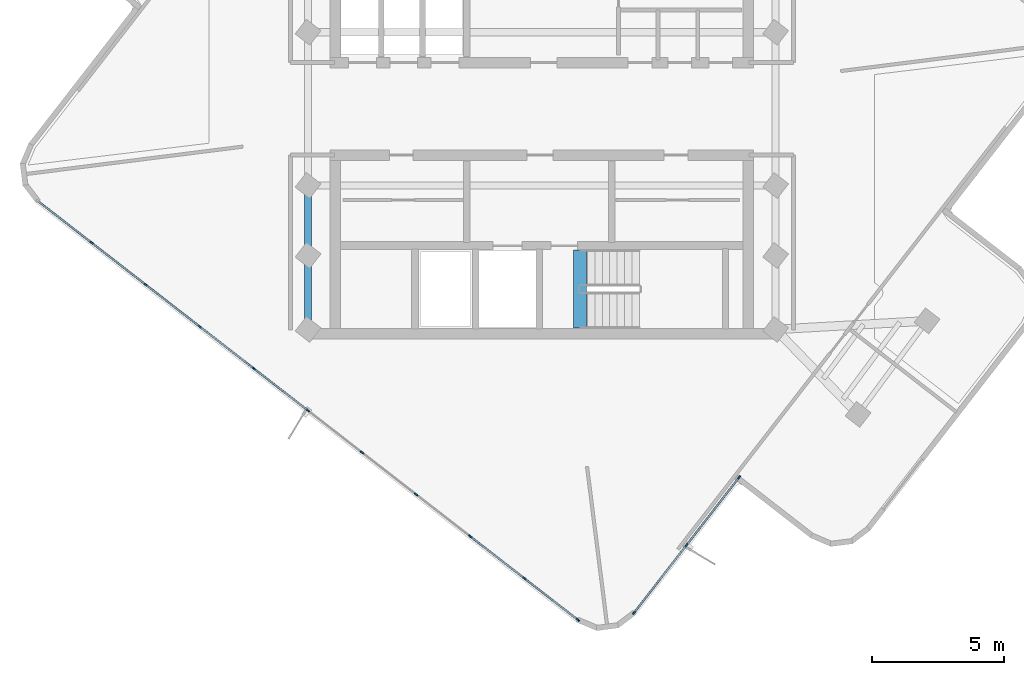
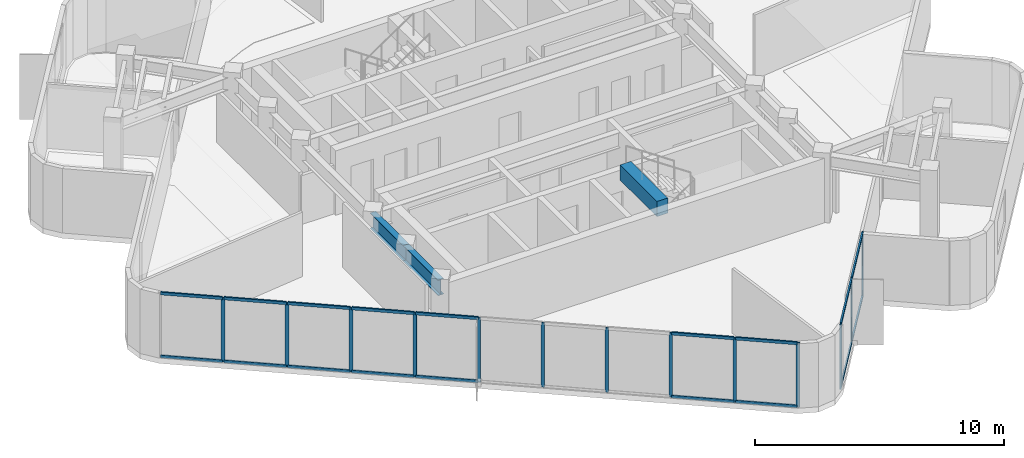
# One storey, part 2 of 10: 31 members, 3 beams, 2 elements without a shape of their own.
"""IFC4 building model written with IfcOpenShell, lengths in metres."""

import ifcopenshell
import ifcopenshell.guid

model = None  # the IFC model being written
_history = None  # IfcOwnerHistory: only IFC2X3 demands one
_inside = {}  # id of a spatial element -> (the spatial element, [elements in it])
_under = {}  # id of a project, library or spatial element -> (it, [spatial elements below it])
_declared = {}  # id of a project -> (the project, [libraries it declares])
_typed = {}  # id of a type object -> (the type object, [elements of that type])
_made_of = {}  # id of a material, layer set ... -> (it, [elements and type objects made of it])


def new_model(schema):
    """Start an empty IFC model of exactly this schema.

    Asked for "IFC4X3", IfcOpenShell would pick the latest addendum, in which some entities
    have other attributes; the version numbers below select the first issue.
    IFC2X3 requires an IfcOwnerHistory on every rooted entity: one is made here for all.
    """
    global model, _history
    if schema == "IFC4X3":
        model = ifcopenshell.file(schema_version=(4, 3, 0, 0))
    else:
        model = ifcopenshell.file(schema=schema)
    _inside.clear()
    _under.clear()
    _declared.clear()
    _typed.clear()
    _made_of.clear()
    _history = None
    if model.schema == "IFC2X3":
        org = make("IfcOrganization", Name="unknown")
        user = make(
            "IfcPersonAndOrganization",
            ThePerson=make("IfcPerson", FamilyName="unknown"),
            TheOrganization=org,
        )
        app = make(
            "IfcApplication",
            ApplicationDeveloper=org,
            Version="unknown",
            ApplicationFullName="unknown",
            ApplicationIdentifier="unknown",
        )
        _history = make(
            "IfcOwnerHistory",
            OwningUser=user,
            OwningApplication=app,
            ChangeAction="ADDED",
            CreationDate=0,
        )
    return model


def make(cls, **values):
    """One entity of the class cls with the attributes given. An attribute that is None is left unset."""
    return model.create_entity(
        cls, **{name: value for name, value in values.items() if value is not None}
    )


def rooted(cls, **values):
    """An entity with a GlobalId (a new one), such as an element, a storey or a relation."""
    return make(cls, GlobalId=ifcopenshell.guid.new(), OwnerHistory=_history, **values)


def si_unit(unit_type, name, prefix=None):
    """IfcSIUnit, for example si_unit("LENGTHUNIT", "METRE", prefix="MILLI")."""
    return make("IfcSIUnit", UnitType=unit_type, Prefix=prefix, Name=name)


def assignment(units):
    """IfcUnitAssignment: the units of a project."""
    return None if units is None else make("IfcUnitAssignment", Units=units)


def point(xyz):
    """IfcCartesianPoint."""
    return None if xyz is None else make("IfcCartesianPoint", Coordinates=xyz)


def direction(xyz):
    """IfcDirection."""
    return None if xyz is None else make("IfcDirection", DirectionRatios=xyz)


def frame(location, z_axis=None, x_axis=None):
    """IfcAxis2Placement3D, a coordinate frame: its origin and axes. An axis left out is left unset."""
    return make(
        "IfcAxis2Placement3D",
        Location=point(location),
        Axis=direction(z_axis),
        RefDirection=direction(x_axis),
    )


def frame_2d(location, x_axis=None):
    """IfcAxis2Placement2D, a coordinate frame in the plane: its origin and x axis."""
    return make(
        "IfcAxis2Placement2D", Location=point(location), RefDirection=direction(x_axis)
    )


def origin():
    """The frame at (0, 0, 0) with its axes left unset."""
    return frame((0.0, 0.0, 0.0))


def origin_2d():
    """The frame at (0, 0) in the plane with its x axis left unset."""
    return frame_2d((0.0, 0.0))


def place(relative_to, where):
    """IfcLocalPlacement: puts the frame where relative to a parent placement (None: the world)."""
    return make(
        "IfcLocalPlacement", PlacementRelTo=relative_to, RelativePlacement=where
    )


def context(
    kind, dimensions, precision=None, world=None, true_north=None, identifier=None
):
    """IfcGeometricRepresentationContext, for example the 3D "Model" context."""
    return make(
        "IfcGeometricRepresentationContext",
        ContextIdentifier=identifier,
        ContextType=kind,
        CoordinateSpaceDimension=dimensions,
        Precision=precision,
        WorldCoordinateSystem=world,
        TrueNorth=true_north,
    )


def subcontext(parent, identifier, kind, view, scale=None):
    """IfcGeometricRepresentationSubContext, for example "Body" below "Model"."""
    return make(
        "IfcGeometricRepresentationSubContext",
        ContextIdentifier=identifier,
        ContextType=kind,
        ParentContext=parent,
        TargetScale=scale,
        TargetView=view,
    )


def project(units=None, contexts=None):
    """IfcProject with its units and contexts."""
    return rooted(
        "IfcProject",
        Name="project",
        RepresentationContexts=contexts,
        UnitsInContext=assignment(units),
    )


def spatial(cls, under=None, at=None, **own):
    """A site, building, storey or space (cls), placed at a placement, below another one or the project."""
    s = rooted(cls, ObjectPlacement=at, **own)
    if under is not None:
        _under.setdefault(under.id(), (under, []))[1].append(s)
    return s


def profile(cls, at=None, kind="AREA", **sizes):
    """A parametric profile (cls). Its sizes go by their IFC names, for example OverallWidth=200.0."""
    return make(cls, ProfileType=kind, Position=at, **sizes)


def rectangle(**sizes):
    """IfcRectangleProfileDef."""
    return profile("IfcRectangleProfileDef", **sizes)


def i_section(**sizes):
    """IfcIShapeProfileDef."""
    return profile("IfcIShapeProfileDef", **sizes)


def extrude(swept, where, along, depth):
    """IfcExtrudedAreaSolid: the profile swept, set in the frame where, extruded along a direction by depth."""
    return make(
        "IfcExtrudedAreaSolid",
        SweptArea=swept,
        Position=where,
        ExtrudedDirection=direction(along),
        Depth=depth,
    )


def shape(context_of_items, identifier, shape_type, items):
    """IfcShapeRepresentation: the items that make up one representation, for example the "Body"."""
    return make(
        "IfcShapeRepresentation",
        ContextOfItems=context_of_items,
        RepresentationIdentifier=identifier,
        RepresentationType=shape_type,
        Items=items,
    )


def material(Name=None, Category=None):
    """IfcMaterial."""
    return make("IfcMaterial", Name=Name, Category=Category)


def layer(
    of_material, thickness, ventilated=None, Name=None, Category=None, Priority=None
):
    """IfcMaterialLayer: one layer of a wall or slab, of a material (None: an air gap)."""
    return make(
        "IfcMaterialLayer",
        Material=of_material,
        LayerThickness=thickness,
        IsVentilated=ventilated,
        Name=Name,
        Category=Category,
        Priority=Priority,
    )


def layer_set(layers, Name=None):
    """IfcMaterialLayerSet."""
    return make("IfcMaterialLayerSet", MaterialLayers=layers, LayerSetName=Name)


def material_profile(
    of_material, cross_section, Name=None, Category=None, Priority=None
):
    """IfcMaterialProfile: a cross section and its material."""
    return make(
        "IfcMaterialProfile",
        Name=Name,
        Material=of_material,
        Profile=cross_section,
        Priority=Priority,
        Category=Category,
    )


def profile_set(profiles, Name=None, composite=None):
    """IfcMaterialProfileSet."""
    return make(
        "IfcMaterialProfileSet",
        Name=Name,
        MaterialProfiles=profiles,
        CompositeProfile=composite,
    )


def made_of(thing, what):
    """Note that an element or type object is made of a material, layer set ...; save() writes the relation."""
    if what is not None:
        _made_of.setdefault(what.id(), (what, []))[1].append(thing)
    return thing


def type_object(cls, material=None, **own):
    """A type object (cls), such as IfcWallType, which elements share."""
    return made_of(rooted(cls, **own), material)


def element(
    cls,
    number,
    at=None,
    inside=None,
    cuts=None,
    type_object=None,
    material=None,
    context=None,
    identifier="Body",
    shape_type=None,
    held_by="IfcProductDefinitionShape",
    body=None,
    shapes=None,
    **own,
):
    """One element of the class cls, such as IfcWall. Its Tag is "e" and its number.

    at: its placement. inside: the storey or other place that contains it. cuts: it is an
    opening in that element (IfcRelVoidsElement). A single representation is given by context,
    identifier, shape_type and body (its items); several are given by shapes. held_by: the class
    of the entity that holds the representations. save() writes the other relations.
    """
    e = rooted(cls, Tag="e%d" % number, ObjectPlacement=at, **own)
    if body is not None:
        shapes = [shape(context, identifier, shape_type, body)]
    if shapes is not None:
        e.Representation = make(held_by, Representations=shapes)
    if inside is not None:
        _inside.setdefault(inside.id(), (inside, []))[1].append(e)
    if cuts is not None:
        rooted(
            "IfcRelVoidsElement", RelatingBuildingElement=cuts, RelatedOpeningElement=e
        )
    if type_object is not None:
        _typed.setdefault(type_object.id(), (type_object, []))[1].append(e)
    return made_of(e, material)


def aggregate(whole, parts):
    """IfcRelAggregates: a whole, such as a stair, and the parts it consists of."""
    return rooted("IfcRelAggregates", RelatingObject=whole, RelatedObjects=parts)


def save(model, path):
    """Write the relations noted so far, then the file.

    IfcRelAggregates (storeys below a building ...), IfcRelContainedInSpatialStructure (elements
    in a storey), IfcRelDefinesByType, IfcRelAssociatesMaterial and IfcRelDeclares: one each for
    every whole, place, type object, material and project.
    """
    for whole, parts in _under.values():
        aggregate(whole, parts)
    for where, things in _inside.values():
        rooted(
            "IfcRelContainedInSpatialStructure",
            RelatedElements=things,
            RelatingStructure=where,
        )
    for kind, things in _typed.values():
        rooted("IfcRelDefinesByType", RelatedObjects=things, RelatingType=kind)
    for what, things in _made_of.values():
        rooted("IfcRelAssociatesMaterial", RelatedObjects=things, RelatingMaterial=what)
    for by, libraries in _declared.values():
        rooted("IfcRelDeclares", RelatingContext=by, RelatedDefinitions=libraries)
    model.write(path)


model = new_model("IFC4")

# Units and contexts
model_context = context("Model", 3, precision=1e-05, world=origin(), true_north=direction((0.0, 1.0)))
body_context = subcontext(model_context, "Body", "Model", "MODEL_VIEW")
ifc_project = project(units=[si_unit("LENGTHUNIT", "METRE"), si_unit("AREAUNIT", "SQUARE_METRE"), si_unit("VOLUMEUNIT", "CUBIC_METRE"), si_unit("PLANEANGLEUNIT", "RADIAN"), si_unit("MASSUNIT", "GRAM", prefix="KILO")], contexts=[model_context])

# Site, building, storey
site_placement = place(None, origin())
site = spatial("IfcSite", under=ifc_project, at=site_placement, CompositionType="ELEMENT")
building_placement = place(site_placement, origin())
building = spatial("IfcBuilding", under=site, at=building_placement, Name="Solmarez Civic Tower", CompositionType="ELEMENT")
storey_placement = place(building_placement, frame((0.0, 0.0, 257.760009765625)))
storey = spatial("IfcBuildingStorey", under=building, at=storey_placement, Name="L69", CompositionType="ELEMENT", Elevation=257.760009765625)

# Beams
ifc_material_1 = material(Name="Concrete C50/60", Category="concrete")
ifc_material_profile_1 = material_profile(ifc_material_1, rectangle(XDim=0.5, YDim=0.75, at=origin_2d()), Name="RC500X750")
ifc_profile_set_1 = profile_set([ifc_material_profile_1], Name="Concrete C50/60")
beam_type_1 = type_object("IfcBeamType", Name="BM-PR-RC500X750", PredefinedType="BEAM", material=ifc_profile_set_1)
beam_1_placement = place(storey_placement, frame((1.449951171875, -8.300048828125, 3.052978515625), z_axis=(0.0, 1.0, 0.0), x_axis=(-1.0, 0.0, 0.0)))
element("IfcBeam", 1, at=beam_1_placement, inside=storey, type_object=beam_type_1, Name="L69 South Stair Threshold Beam", PredefinedType="BEAM", context=body_context, shape_type="SweptSolid", body=[
    extrude(rectangle(XDim=0.5, YDim=0.75, at=origin_2d()), origin(), (0.0, 0.0, 1.0), 2.9599609375),
])
ifc_material_2 = material(Name="Steel S355", Category="steel")
ifc_material_profile_2 = material_profile(ifc_material_2, i_section(OverallWidth=0.26708984375, OverallDepth=0.761962890625, WebThickness=0.014404296875, FlangeThickness=0.021484375, at=origin_2d()), Name="W30X116")
ifc_profile_set_2 = profile_set([ifc_material_profile_2], Name="Steel S355")
beam_type_2 = type_object("IfcBeamType", Name="BM-PR-W30X116", PredefinedType="BEAM", material=ifc_profile_set_2)
beam_2_placement = place(storey_placement, frame((-8.85009765625, -8.35009765625, 2.779052734375), z_axis=(0.0, 1.0, 0.0), x_axis=(-1.0, 0.0, 0.0)))
element("IfcBeam", 2, at=beam_2_placement, inside=storey, type_object=beam_type_2, Name="L69 Primary Floor Beam BM-L69-HC12-HC1", PredefinedType="BEAM", context=body_context, shape_type="SweptSolid", body=[
    extrude(i_section(OverallWidth=0.26708984375, OverallDepth=0.761962890625, WebThickness=0.014404296875, FlangeThickness=0.021484375, at=origin_2d()), origin(), (0.0, 0.0, 1.0), 2.800048828125),
])
beam_3_placement = place(storey_placement, frame((-8.85009765625, -5.550048828125, 2.779052734375), z_axis=(0.0, 1.0, 0.0), x_axis=(-1.0, 0.0, 0.0)))
element("IfcBeam", 3, at=beam_3_placement, inside=storey, type_object=beam_type_2, Name="L69 Primary Floor Beam BM-L69-HC1-HC2", PredefinedType="BEAM", context=body_context, shape_type="SweptSolid", body=[
    extrude(i_section(OverallWidth=0.26708984375, OverallDepth=0.761962890625, WebThickness=0.014404296875, FlangeThickness=0.021484375, at=origin_2d()), origin(), (0.0, 0.0, 1.0), 2.650146484375),
])

# Curtain wall, members
ifc_material_3 = material(Name="Bronze Anodised Aluminium EN AW-6063 T6", Category="aluminium")
ifc_layer = layer(ifc_material_3, 0.1650390625)
ifc_layer_set = layer_set([ifc_layer], Name="Bronze Anodised Aluminium EN AW-6063 T6")
curtain_wall_type = type_object("IfcCurtainWallType", Name="CW-SYS-4", PredefinedType="NOTDEFINED", material=ifc_layer_set)
curtain_wall_1_placement = place(storey_placement, origin())
curtain_wall_1 = element("IfcCurtainWall", 4, at=curtain_wall_1_placement, inside=storey, type_object=curtain_wall_type, Name="L69 Stick-Built Curtain Wall 1", PredefinedType="NOTDEFINED")
ifc_material_profile_3 = material_profile(ifc_material_3, rectangle(XDim=0.06005859375, YDim=0.14990234375, at=origin_2d()), Name="CWM-60X150")
ifc_profile_set_3 = profile_set([ifc_material_profile_3], Name="Bronze Anodised Aluminium EN AW-6063 T6")
member_type_1 = type_object("IfcMemberType", Name="CWM-TYPE-4", PredefinedType="MULLION", material=ifc_profile_set_3)
member_1_placement = place(storey_placement, frame((7.464599609375, -13.95361328125, 0.0), z_axis=(0.0, 0.0, 1.0), x_axis=(0.790191094743, -0.612860533718, 0.0)))
member_1 = element("IfcMember", 5, at=member_1_placement, type_object=member_type_1, Name="CWS4 mullion 1", PredefinedType="MULLION", context=body_context, shape_type="SweptSolid", body=[
    extrude(rectangle(XDim=0.06005859375, YDim=0.14990234375, at=origin_2d()), origin(), (0.0, 0.0, 1.0), 3.159912109375),
])
member_2_placement = place(storey_placement, frame((5.478515625, -16.514404296875, 0.0), z_axis=(0.0, 0.0, 1.0), x_axis=(0.790191094743, -0.612860533718, 0.0)))
member_2 = element("IfcMember", 6, at=member_2_placement, type_object=member_type_1, Name="CWS4 mullion 2", PredefinedType="MULLION", context=body_context, shape_type="SweptSolid", body=[
    extrude(rectangle(XDim=0.06005859375, YDim=0.14990234375, at=origin_2d()), origin(), (0.0, 0.0, 1.0), 3.159912109375),
])
member_3_placement = place(storey_placement, frame((3.492431640625, -19.0751953125, 0.0), z_axis=(0.0, 0.0, 1.0), x_axis=(0.790191094743, -0.612860533718, 0.0)))
member_3 = element("IfcMember", 7, at=member_3_placement, type_object=member_type_1, Name="CWS4 mullion 3", PredefinedType="MULLION", context=body_context, shape_type="SweptSolid", body=[
    extrude(rectangle(XDim=0.06005859375, YDim=0.14990234375, at=origin_2d()), origin(), (0.0, 0.0, 1.0), 3.159912109375),
])

curtain_wall_2_placement = place(storey_placement, origin())
curtain_wall_2 = element("IfcCurtainWall", 8, at=curtain_wall_2_placement, inside=storey, type_object=curtain_wall_type, Name="L69 Stick-Built Curtain Wall 2", PredefinedType="NOTDEFINED")
member_4_placement = place(storey_placement, frame((1.3623046875, -19.343505859375, 0.0), z_axis=(0.0, 0.0, 1.0), x_axis=(-0.612863828087, -0.790188539668, 0.0)))
member_4 = element("IfcMember", 9, at=member_4_placement, type_object=member_type_1, Name="CWS4 mullion 1", PredefinedType="MULLION", context=body_context, shape_type="SweptSolid", body=[
    extrude(rectangle(XDim=0.06005859375, YDim=0.14990234375, at=origin_2d()), origin(), (0.0, 0.0, 1.0), 3.159912109375),
])
member_5_placement = place(storey_placement, frame((-0.66259765625, -17.773193359375, 0.0), z_axis=(0.0, 0.0, 1.0), x_axis=(-0.612863828087, -0.790188539668, 0.0)))
member_5 = element("IfcMember", 10, at=member_5_placement, type_object=member_type_1, Name="CWS4 mullion 2", PredefinedType="MULLION", context=body_context, shape_type="SweptSolid", body=[
    extrude(rectangle(XDim=0.06005859375, YDim=0.14990234375, at=origin_2d()), origin(), (0.0, 0.0, 1.0), 3.159912109375),
])
member_6_placement = place(storey_placement, frame((-2.7109375, -16.184326171875, 0.0), z_axis=(0.0, 0.0, 1.0), x_axis=(-0.612863828087, -0.790188539668, 0.0)))
member_6 = element("IfcMember", 11, at=member_6_placement, type_object=member_type_1, Name="CWS4 mullion 3", PredefinedType="MULLION", context=body_context, shape_type="SweptSolid", body=[
    extrude(rectangle(XDim=0.06005859375, YDim=0.14990234375, at=origin_2d()), origin(), (0.0, 0.0, 1.0), 3.159912109375),
])
member_7_placement = place(storey_placement, frame((-4.759521484375, -14.595703125, 0.0), z_axis=(0.0, 0.0, 1.0), x_axis=(-0.612863828087, -0.790188539668, 0.0)))
member_7 = element("IfcMember", 12, at=member_7_placement, type_object=member_type_1, Name="CWS4 mullion 4", PredefinedType="MULLION", context=body_context, shape_type="SweptSolid", body=[
    extrude(rectangle(XDim=0.06005859375, YDim=0.14990234375, at=origin_2d()), origin(), (0.0, 0.0, 1.0), 3.159912109375),
])
member_8_placement = place(storey_placement, frame((-6.80810546875, -13.0068359375, 0.0), z_axis=(0.0, 0.0, 1.0), x_axis=(-0.612863828087, -0.790188539668, 0.0)))
member_8 = element("IfcMember", 13, at=member_8_placement, type_object=member_type_1, Name="CWS4 mullion 5", PredefinedType="MULLION", context=body_context, shape_type="SweptSolid", body=[
    extrude(rectangle(XDim=0.06005859375, YDim=0.14990234375, at=origin_2d()), origin(), (0.0, 0.0, 1.0), 3.159912109375),
])
member_9_placement = place(storey_placement, frame((-8.8564453125, -11.41796875, 0.0), z_axis=(0.0, 0.0, 1.0), x_axis=(-0.612863828087, -0.790188539668, 0.0)))
member_9 = element("IfcMember", 14, at=member_9_placement, type_object=member_type_1, Name="CWS4 mullion 6", PredefinedType="MULLION", context=body_context, shape_type="SweptSolid", body=[
    extrude(rectangle(XDim=0.06005859375, YDim=0.14990234375, at=origin_2d()), origin(), (0.0, 0.0, 1.0), 3.159912109375),
])
member_10_placement = place(storey_placement, frame((-10.905029296875, -9.8291015625, 0.0), z_axis=(0.0, 0.0, 1.0), x_axis=(-0.612863828087, -0.790188539668, 0.0)))
member_10 = element("IfcMember", 15, at=member_10_placement, type_object=member_type_1, Name="CWS4 mullion 7", PredefinedType="MULLION", context=body_context, shape_type="SweptSolid", body=[
    extrude(rectangle(XDim=0.06005859375, YDim=0.14990234375, at=origin_2d()), origin(), (0.0, 0.0, 1.0), 3.159912109375),
])
member_11_placement = place(storey_placement, frame((-12.95361328125, -8.240478515625, 0.0), z_axis=(0.0, 0.0, 1.0), x_axis=(-0.612863828087, -0.790188539668, 0.0)))
member_11 = element("IfcMember", 16, at=member_11_placement, type_object=member_type_1, Name="CWS4 mullion 8", PredefinedType="MULLION", context=body_context, shape_type="SweptSolid", body=[
    extrude(rectangle(XDim=0.06005859375, YDim=0.14990234375, at=origin_2d()), origin(), (0.0, 0.0, 1.0), 3.159912109375),
])
member_12_placement = place(storey_placement, frame((-15.001953125, -6.651611328125, 0.0), z_axis=(0.0, 0.0, 1.0), x_axis=(-0.612863828087, -0.790188539668, 0.0)))
member_12 = element("IfcMember", 17, at=member_12_placement, type_object=member_type_1, Name="CWS4 mullion 9", PredefinedType="MULLION", context=body_context, shape_type="SweptSolid", body=[
    extrude(rectangle(XDim=0.06005859375, YDim=0.14990234375, at=origin_2d()), origin(), (0.0, 0.0, 1.0), 3.159912109375),
])
member_13_placement = place(storey_placement, frame((-17.050537109375, -5.062744140625, 0.0), z_axis=(0.0, 0.0, 1.0), x_axis=(-0.612863828087, -0.790188539668, 0.0)))
member_13 = element("IfcMember", 18, at=member_13_placement, type_object=member_type_1, Name="CWS4 mullion 10", PredefinedType="MULLION", context=body_context, shape_type="SweptSolid", body=[
    extrude(rectangle(XDim=0.06005859375, YDim=0.14990234375, at=origin_2d()), origin(), (0.0, 0.0, 1.0), 3.159912109375),
])

# Member
ifc_material_profile_4 = material_profile(ifc_material_3, rectangle(XDim=0.070068359375, YDim=0.139892578125, at=origin_2d()), Name="CWT-70X140")
ifc_profile_set_4 = profile_set([ifc_material_profile_4], Name="Bronze Anodised Aluminium EN AW-6063 T6")
member_type_2 = type_object("IfcMemberType", Name="CWT-TYPE-1", PredefinedType="USERDEFINED", material=ifc_profile_set_4)
member_14_placement = place(storey_placement, frame((7.4462890625, -13.977294921875, 0.034912109375), z_axis=(-0.612877315245, -0.790178078953, 0.0), x_axis=(0.790178078953, -0.612877315245, 0.0)))
member_14 = element("IfcMember", 19, at=member_14_placement, type_object=member_type_2, Name="CWS4 transom 1.1", ObjectType="TRANSOM", PredefinedType="USERDEFINED", context=body_context, shape_type="SweptSolid", body=[
    extrude(rectangle(XDim=0.070068359375, YDim=0.139892578125, at=origin_2d()), origin(), (0.0, 0.0, 1.0), 3.180908203125),
])

member_15_placement = place(storey_placement, frame((7.4462890625, -13.977294921875, 3.125), z_axis=(-0.612877315245, -0.790178078953, 0.0), x_axis=(0.790178078953, -0.612877315245, 0.0)))
member_15 = element("IfcMember", 20, at=member_15_placement, type_object=member_type_2, Name="CWS4 transom 1.2", ObjectType="TRANSOM", PredefinedType="USERDEFINED", context=body_context, shape_type="SweptSolid", body=[
    extrude(rectangle(XDim=0.070068359375, YDim=0.139892578125, at=origin_2d()), origin(), (0.0, 0.0, 1.0), 3.180908203125),
])

member_16_placement = place(storey_placement, frame((5.460205078125, -16.5380859375, 0.034912109375), z_axis=(-0.612877315245, -0.790178078953, 0.0), x_axis=(0.790178078953, -0.612877315245, 0.0)))
member_16 = element("IfcMember", 21, at=member_16_placement, type_object=member_type_2, Name="CWS4 transom 2.1", ObjectType="TRANSOM", PredefinedType="USERDEFINED", context=body_context, shape_type="SweptSolid", body=[
    extrude(rectangle(XDim=0.070068359375, YDim=0.139892578125, at=origin_2d()), origin(), (0.0, 0.0, 1.0), 3.180908203125),
])

member_17_placement = place(storey_placement, frame((5.460205078125, -16.5380859375, 3.125), z_axis=(-0.612877315245, -0.790178078953, 0.0), x_axis=(0.790178078953, -0.612877315245, 0.0)))
member_17 = element("IfcMember", 22, at=member_17_placement, type_object=member_type_2, Name="CWS4 transom 2.2", ObjectType="TRANSOM", PredefinedType="USERDEFINED", context=body_context, shape_type="SweptSolid", body=[
    extrude(rectangle(XDim=0.070068359375, YDim=0.139892578125, at=origin_2d()), origin(), (0.0, 0.0, 1.0), 3.180908203125),
])

aggregate(curtain_wall_1, [member_1, member_2, member_3, member_14, member_15, member_16, member_17])

member_18_placement = place(storey_placement, frame((1.338623046875, -19.3251953125, 0.034912109375), z_axis=(-0.790202446338, 0.612845897271, 0.0), x_axis=(-0.612845897271, -0.790202446338, 0.0)))
member_18 = element("IfcMember", 23, at=member_18_placement, type_object=member_type_2, Name="CWS4 transom 1.1", ObjectType="TRANSOM", PredefinedType="USERDEFINED", context=body_context, shape_type="SweptSolid", body=[
    extrude(rectangle(XDim=0.070068359375, YDim=0.139892578125, at=origin_2d()), origin(), (0.0, 0.0, 1.0), 2.502685546875),
])

member_19_placement = place(storey_placement, frame((1.338623046875, -19.3251953125, 3.125), z_axis=(-0.790202446338, 0.612845897271, 0.0), x_axis=(-0.612845897271, -0.790202446338, 0.0)))
member_19 = element("IfcMember", 24, at=member_19_placement, type_object=member_type_2, Name="CWS4 transom 1.2", ObjectType="TRANSOM", PredefinedType="USERDEFINED", context=body_context, shape_type="SweptSolid", body=[
    extrude(rectangle(XDim=0.070068359375, YDim=0.139892578125, at=origin_2d()), origin(), (0.0, 0.0, 1.0), 2.502685546875),
])

member_20_placement = place(storey_placement, frame((-0.686279296875, -17.7548828125, 0.034912109375), z_axis=(-0.790176922481, 0.612878806273, 0.0), x_axis=(-0.612878806273, -0.790176922481, 0.0)))
member_20 = element("IfcMember", 25, at=member_20_placement, type_object=member_type_2, Name="CWS4 transom 2.1", ObjectType="TRANSOM", PredefinedType="USERDEFINED", context=body_context, shape_type="SweptSolid", body=[
    extrude(rectangle(XDim=0.070068359375, YDim=0.139892578125, at=origin_2d()), origin(), (0.0, 0.0, 1.0), 2.5322265625),
])

member_21_placement = place(storey_placement, frame((-0.686279296875, -17.7548828125, 3.125), z_axis=(-0.790176922481, 0.612878806273, 0.0), x_axis=(-0.612878806273, -0.790176922481, 0.0)))
member_21 = element("IfcMember", 26, at=member_21_placement, type_object=member_type_2, Name="CWS4 transom 2.2", ObjectType="TRANSOM", PredefinedType="USERDEFINED", context=body_context, shape_type="SweptSolid", body=[
    extrude(rectangle(XDim=0.070068359375, YDim=0.139892578125, at=origin_2d()), origin(), (0.0, 0.0, 1.0), 2.5322265625),
])

member_22_placement = place(storey_placement, frame((-8.880126953125, -11.399658203125, 0.034912109375), z_axis=(-0.790213131935, 0.612832119032, 0.0), x_axis=(-0.612832119032, -0.790213131935, 0.0)))
member_22 = element("IfcMember", 27, at=member_22_placement, type_object=member_type_2, Name="CWS4 transom 6.1", ObjectType="TRANSOM", PredefinedType="USERDEFINED", context=body_context, shape_type="SweptSolid", body=[
    extrude(rectangle(XDim=0.070068359375, YDim=0.139892578125, at=origin_2d()), origin(), (0.0, 0.0, 1.0), 2.532470703125),
])

member_23_placement = place(storey_placement, frame((-8.880126953125, -11.399658203125, 3.125), z_axis=(-0.790213131935, 0.612832119032, 0.0), x_axis=(-0.612832119032, -0.790213131935, 0.0)))
member_23 = element("IfcMember", 28, at=member_23_placement, type_object=member_type_2, Name="CWS4 transom 6.2", ObjectType="TRANSOM", PredefinedType="USERDEFINED", context=body_context, shape_type="SweptSolid", body=[
    extrude(rectangle(XDim=0.070068359375, YDim=0.139892578125, at=origin_2d()), origin(), (0.0, 0.0, 1.0), 2.532470703125),
])

member_24_placement = place(storey_placement, frame((-10.9287109375, -9.810791015625, 0.034912109375), z_axis=(-0.790176922481, 0.612878806273, 0.0), x_axis=(-0.612878806273, -0.790176922481, 0.0)))
member_24 = element("IfcMember", 29, at=member_24_placement, type_object=member_type_2, Name="CWS4 transom 7.1", ObjectType="TRANSOM", PredefinedType="USERDEFINED", context=body_context, shape_type="SweptSolid", body=[
    extrude(rectangle(XDim=0.070068359375, YDim=0.139892578125, at=origin_2d()), origin(), (0.0, 0.0, 1.0), 2.5322265625),
])

member_25_placement = place(storey_placement, frame((-10.9287109375, -9.810791015625, 3.125), z_axis=(-0.790176922481, 0.612878806273, 0.0), x_axis=(-0.612878806273, -0.790176922481, 0.0)))
member_25 = element("IfcMember", 30, at=member_25_placement, type_object=member_type_2, Name="CWS4 transom 7.2", ObjectType="TRANSOM", PredefinedType="USERDEFINED", context=body_context, shape_type="SweptSolid", body=[
    extrude(rectangle(XDim=0.070068359375, YDim=0.139892578125, at=origin_2d()), origin(), (0.0, 0.0, 1.0), 2.5322265625),
])

member_26_placement = place(storey_placement, frame((-12.977294921875, -8.221923828125, 0.034912109375), z_axis=(-0.790176922481, 0.612878806273, 0.0), x_axis=(-0.612878806273, -0.790176922481, 0.0)))
member_26 = element("IfcMember", 31, at=member_26_placement, type_object=member_type_2, Name="CWS4 transom 8.1", ObjectType="TRANSOM", PredefinedType="USERDEFINED", context=body_context, shape_type="SweptSolid", body=[
    extrude(rectangle(XDim=0.070068359375, YDim=0.139892578125, at=origin_2d()), origin(), (0.0, 0.0, 1.0), 2.5322265625),
])

member_27_placement = place(storey_placement, frame((-12.977294921875, -8.221923828125, 3.125), z_axis=(-0.790176922481, 0.612878806273, 0.0), x_axis=(-0.612878806273, -0.790176922481, 0.0)))
member_27 = element("IfcMember", 32, at=member_27_placement, type_object=member_type_2, Name="CWS4 transom 8.2", ObjectType="TRANSOM", PredefinedType="USERDEFINED", context=body_context, shape_type="SweptSolid", body=[
    extrude(rectangle(XDim=0.070068359375, YDim=0.139892578125, at=origin_2d()), origin(), (0.0, 0.0, 1.0), 2.5322265625),
])

member_28_placement = place(storey_placement, frame((-15.025634765625, -6.63330078125, 0.034912109375), z_axis=(-0.790213131935, 0.612832119032, 0.0), x_axis=(-0.612832119032, -0.790213131935, 0.0)))
member_28 = element("IfcMember", 33, at=member_28_placement, type_object=member_type_2, Name="CWS4 transom 9.1", ObjectType="TRANSOM", PredefinedType="USERDEFINED", context=body_context, shape_type="SweptSolid", body=[
    extrude(rectangle(XDim=0.070068359375, YDim=0.139892578125, at=origin_2d()), origin(), (0.0, 0.0, 1.0), 2.532470703125),
])

member_29_placement = place(storey_placement, frame((-15.025634765625, -6.63330078125, 3.125), z_axis=(-0.790213131935, 0.612832119032, 0.0), x_axis=(-0.612832119032, -0.790213131935, 0.0)))
member_29 = element("IfcMember", 34, at=member_29_placement, type_object=member_type_2, Name="CWS4 transom 9.2", ObjectType="TRANSOM", PredefinedType="USERDEFINED", context=body_context, shape_type="SweptSolid", body=[
    extrude(rectangle(XDim=0.070068359375, YDim=0.139892578125, at=origin_2d()), origin(), (0.0, 0.0, 1.0), 2.532470703125),
])

member_30_placement = place(storey_placement, frame((-17.07421875, -5.04443359375, 0.034912109375), z_axis=(-0.790165802062, 0.61289314342, 0.0), x_axis=(-0.61289314342, -0.790165802062, 0.0)))
member_30 = element("IfcMember", 35, at=member_30_placement, type_object=member_type_2, Name="CWS4 transom 10.1", ObjectType="TRANSOM", PredefinedType="USERDEFINED", context=body_context, shape_type="SweptSolid", body=[
    extrude(rectangle(XDim=0.070068359375, YDim=0.139892578125, at=origin_2d()), origin(), (0.0, 0.0, 1.0), 2.50244140625),
])

member_31_placement = place(storey_placement, frame((-17.07421875, -5.04443359375, 3.125), z_axis=(-0.790165802062, 0.61289314342, 0.0), x_axis=(-0.61289314342, -0.790165802062, 0.0)))
member_31 = element("IfcMember", 36, at=member_31_placement, type_object=member_type_2, Name="CWS4 transom 10.2", ObjectType="TRANSOM", PredefinedType="USERDEFINED", context=body_context, shape_type="SweptSolid", body=[
    extrude(rectangle(XDim=0.070068359375, YDim=0.139892578125, at=origin_2d()), origin(), (0.0, 0.0, 1.0), 2.50244140625),
])

aggregate(curtain_wall_2, [member_4, member_5, member_6, member_7, member_8, member_9, member_10, member_11, member_12, member_13, member_18, member_19, member_20, member_21, member_22, member_23, member_24, member_25, member_26, member_27, member_28, member_29, member_30, member_31])

save(model, "model.ifc")
